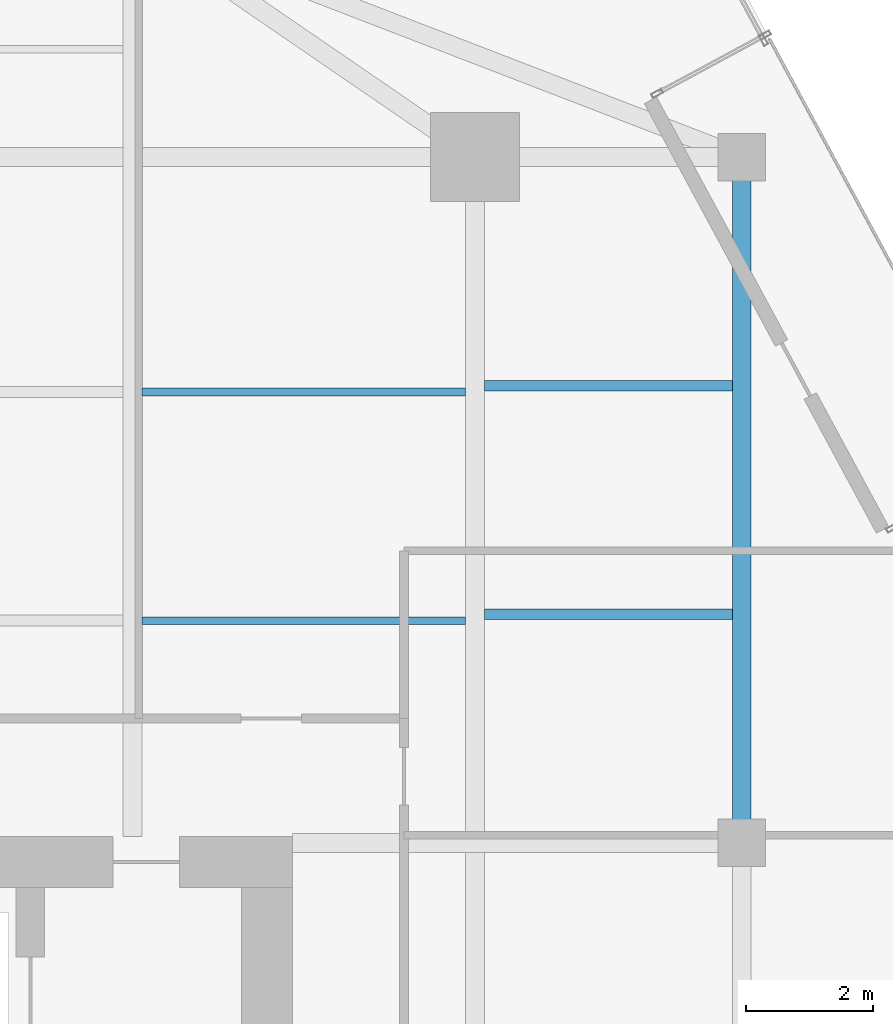
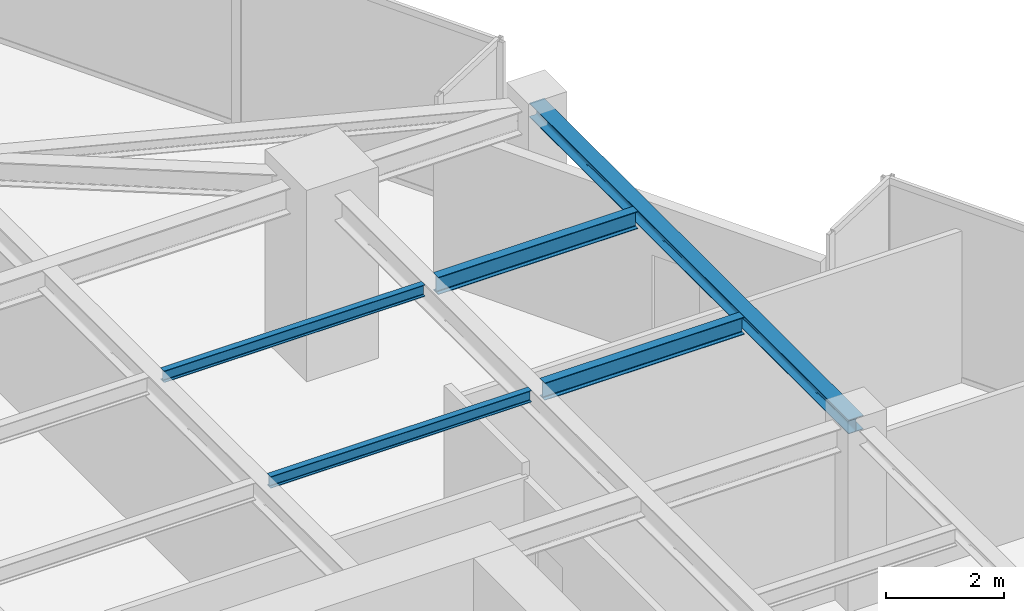
# One storey, part 11 of 22: 5 beams.
"""IFC4 building model written with IfcOpenShell, lengths in metres."""

from ifc_helpers import new_model, si_unit, direction, frame, origin, origin_2d, place, context, subcontext, project, spatial, i_section, extrude, source, transform, mapped, material, material_profile, profile_set, type_object, type_shapes, element, save


model = new_model("IFC4")

# Units and contexts
model_context = context("Model", 3, precision=1e-05, world=origin(), true_north=direction((0.0, 1.0)))
body_context = subcontext(model_context, "Body", "Model", "MODEL_VIEW")
ifc_project = project(units=[si_unit("LENGTHUNIT", "METRE"), si_unit("AREAUNIT", "SQUARE_METRE"), si_unit("VOLUMEUNIT", "CUBIC_METRE"), si_unit("PLANEANGLEUNIT", "RADIAN"), si_unit("MASSUNIT", "GRAM", prefix="KILO")], contexts=[model_context])

# Site, building, storey
site_placement = place(None, origin())
site = spatial("IfcSite", under=ifc_project, at=site_placement, CompositionType="ELEMENT")
building_placement = place(site_placement, origin())
building = spatial("IfcBuilding", under=site, at=building_placement, Name="Krantzveldt Concourse Tower", CompositionType="ELEMENT")
storey_placement = place(building_placement, frame((0.0, 0.0, 306.89990234375)))
storey = spatial("IfcBuildingStorey", under=building, at=storey_placement, Name="L75", CompositionType="ELEMENT", Elevation=306.89990234375)

# Beams
ifc_material = material(Name="Steel S355JR", Category="steel")
ifc_material_profile_1 = material_profile(ifc_material, i_section(OverallWidth=0.2900390625, OverallDepth=0.2900390625, WebThickness=0.008544921875, FlangeThickness=0.013916015625, FilletRadius=0.027099609375, at=origin_2d()), Name="Steel S355JR", Category="steel")
ifc_profile_set_1 = profile_set([ifc_material_profile_1], Name="Steel S355JR - HEA 300")
beam_type_1 = type_object("IfcBeamType", Name="BM-SP-HEA300", PredefinedType="SPANDREL", material=ifc_profile_set_1)
shared_shape_1 = source(origin(), body_context, "Body", "SweptSolid", [
    extrude(i_section(OverallWidth=0.2900390625, OverallDepth=0.2900390625, WebThickness=0.008544921875, FlangeThickness=0.013916015625, FilletRadius=0.027099609375, at=origin_2d()), origin(), (0.0, 0.0, 1.0), 10.800048828125),
])
type_shapes(beam_type_1, [shared_shape_1])
beam_placement = place(storey_placement, frame((51.0, 37.5, 3.525146484375), z_axis=(0.0, -1.0, 0.0), x_axis=(1.0, 0.0, 0.0)))
element("IfcBeam", 1, at=beam_placement, inside=storey, type_object=beam_type_1, Name="L75 Tower Girder SP-R06", PredefinedType="SPANDREL", context=body_context, shape_type="MappedRepresentation", body=[
    mapped(shared_shape_1, transform((0.0, 0.0, 0.0), x_axis=(1.0, 0.0, 0.0), y_axis=(0.0, 1.0, 0.0), z_axis=(0.0, 0.0, 1.0), scale=1.0)),
])
ifc_material_profile_2 = material_profile(ifc_material, i_section(OverallWidth=0.1201171875, OverallDepth=0.239990234375, WebThickness=0.006103515625, FlangeThickness=0.009765625, FilletRadius=0.014892578125, at=origin_2d()), Name="Steel S355JR", Category="steel")
ifc_profile_set_2 = profile_set([ifc_material_profile_2], Name="Steel S355JR - IPE 240")
beam_type_2 = type_object("IfcBeamType", Name="BM-LN-IPE240", PredefinedType="LINTEL", material=ifc_profile_set_2)
shared_shape_2 = source(origin(), body_context, "Body", "SweptSolid", [
    extrude(i_section(OverallWidth=0.1201171875, OverallDepth=0.239990234375, WebThickness=0.006103515625, FlangeThickness=0.009765625, FilletRadius=0.014892578125, at=origin_2d()), origin(), (0.0, 0.0, 1.0), 5.099853515625),
])
type_shapes(beam_type_2, [shared_shape_2])
for number, where, z_axis, x_axis, name in (
    (2, (41.550048828125, 30.199951171875, 3.550048828125), (1.0, 0.0, 0.0), (0.0, 1.0, 0.0), "L75 Secondary Floor Joist JN-E1"),
    (3, (41.550048828125, 33.800048828125, 3.550048828125), (1.0, 0.0, 0.0), (0.0, 1.0, 0.0), "L75 Secondary Floor Joist JN-E2"),
):
    element("IfcBeam", number, at=place(storey_placement, frame(where, z_axis=z_axis, x_axis=x_axis)), inside=storey, type_object=beam_type_2, Name=name, PredefinedType="LINTEL", context=body_context, shape_type="MappedRepresentation", body=[
        mapped(shared_shape_2, transform((0.0, 0.0, 0.0), x_axis=(1.0, 0.0, 0.0), y_axis=(0.0, 1.0, 0.0), z_axis=(0.0, 0.0, 1.0), scale=1.0)),
    ])
ifc_material_profile_3 = material_profile(ifc_material, i_section(OverallWidth=0.169921875, OverallDepth=0.360107421875, WebThickness=0.008056640625, FlangeThickness=0.0126953125, FilletRadius=0.01806640625, at=origin_2d()), Name="Steel S355JR", Category="steel")
ifc_profile_set_3 = profile_set([ifc_material_profile_3], Name="Steel S355JR - IPE 360")
beam_type_3 = type_object("IfcBeamType", Name="BM-J-IPE360", PredefinedType="JOIST", material=ifc_profile_set_3)
shared_shape_3 = source(origin(), body_context, "Body", "SweptSolid", [
    extrude(i_section(OverallWidth=0.169921875, OverallDepth=0.360107421875, WebThickness=0.008056640625, FlangeThickness=0.0126953125, FilletRadius=0.01806640625, at=origin_2d()), origin(), (0.0, 0.0, 1.0), 3.900146484375),
])
type_shapes(beam_type_3, [shared_shape_3])
for number, where, z_axis, x_axis, name in (
    (4, (46.949951171875, 30.300048828125, 3.489990234375), (1.0, 0.0, 0.0), (0.0, 1.0, 0.0), "L75 Secondary Floor Joist JE-3"),
    (5, (46.949951171875, 33.89990234375, 3.489990234375), (1.0, 0.0, 0.0), (0.0, 1.0, 0.0), "L75 Secondary Floor Joist JE-4"),
):
    element("IfcBeam", number, at=place(storey_placement, frame(where, z_axis=z_axis, x_axis=x_axis)), inside=storey, type_object=beam_type_3, Name=name, PredefinedType="JOIST", context=body_context, shape_type="MappedRepresentation", body=[
        mapped(shared_shape_3, transform((0.0, 0.0, 0.0), x_axis=(1.0, 0.0, 0.0), y_axis=(0.0, 1.0, 0.0), z_axis=(0.0, 0.0, 1.0), scale=1.0)),
    ])

save(model, "model.ifc")
